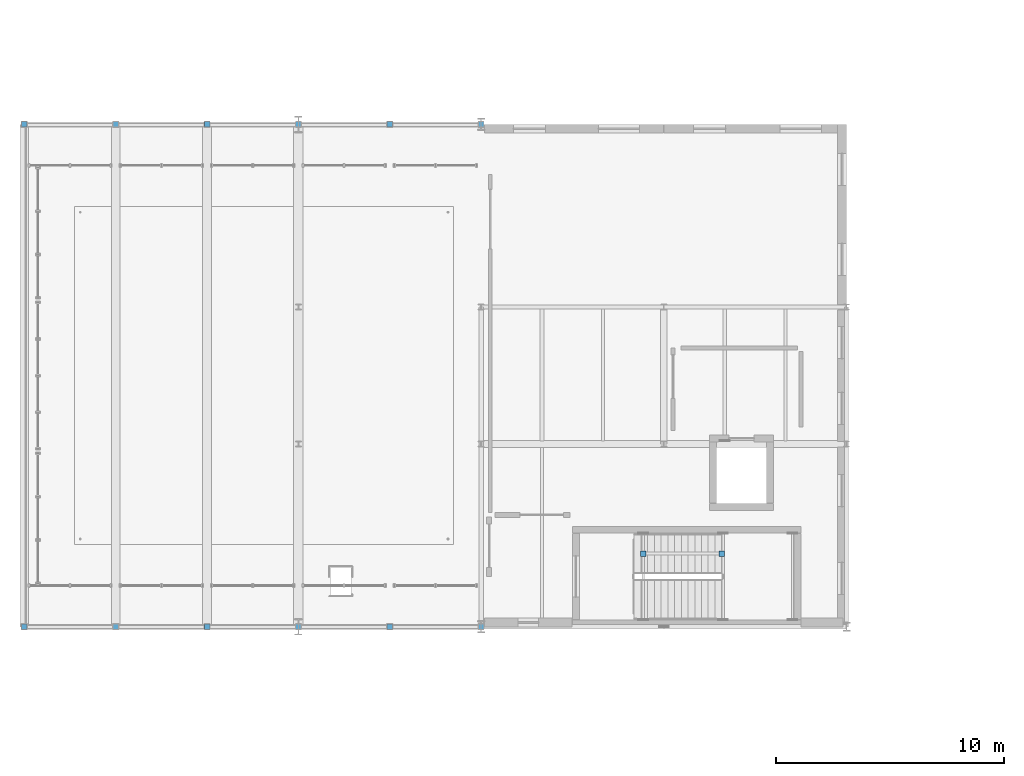
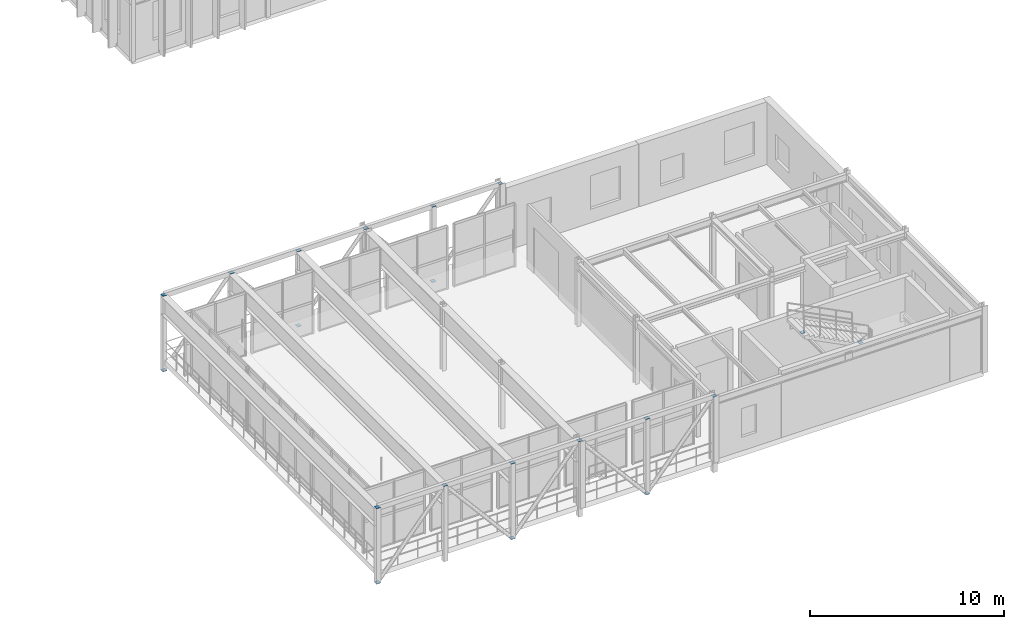
# One storey, part 108 of 124: 20 discrete accessories.
"""IFC4 building model written with IfcOpenShell, lengths in metres."""

from ifc_helpers import new_model, si_unit, direction, frame, origin, origin_2d, place, context, subcontext, project, spatial, rectangle, extrude, material, type_object, element, save


model = new_model("IFC4")

# Units and contexts
model_context = context("Model", 3, precision=1e-05, world=origin(), true_north=direction((0.0, 1.0)))
body_context = subcontext(model_context, "Body", "Model", "MODEL_VIEW")
ifc_project = project(units=[si_unit("LENGTHUNIT", "METRE"), si_unit("AREAUNIT", "SQUARE_METRE"), si_unit("VOLUMEUNIT", "CUBIC_METRE"), si_unit("PLANEANGLEUNIT", "RADIAN"), si_unit("MASSUNIT", "GRAM", prefix="KILO")], contexts=[model_context])

# Site, building, storey
site_placement = place(None, origin())
site = spatial("IfcSite", under=ifc_project, at=site_placement, CompositionType="ELEMENT")
building_placement = place(site_placement, origin())
building = spatial("IfcBuilding", under=site, at=building_placement, Name="Sundkrona Museum", CompositionType="ELEMENT")
storey_placement = place(building_placement, frame((0.0, 0.0, 17.60009765625)))
storey = spatial("IfcBuildingStorey", under=building, at=storey_placement, Name="L03", CompositionType="ELEMENT", Elevation=17.60009765625)

# Discrete accessories
ifc_material = material(Name="Stainless Steel EN 1.4404 Cleat", Category="steel")
discrete_accessory_type = type_object("IfcDiscreteAccessoryType", Name="BRK-FIN-01", PredefinedType="BRACKET", material=ifc_material)
for number, where, z_axis, x_axis, name in (
    (1, (4.0, 32.0, -0.692626953125), (0.0, 0.0, 1.0), (1.0, 0.0, 0.0), "Brace and Strut End Connection Plate TR4-S-UDG-01-1"),
    (2, (8.0, 32.0, 4.037353515625), (0.0, 0.0, 1.0), (1.0, 0.0, 0.0), "Brace and Strut End Connection Plate TR4-S-UDG-01-2"),
    (3, (12.0, 32.0, -0.692626953125), (0.0, 0.0, 1.0), (1.0, 0.0, 0.0), "Brace and Strut End Connection Plate TR4-S-UDG-02-2"),
    (4, (16.0, 32.0, 4.037353515625), (0.0, 0.0, 1.0), (1.0, 0.0, 0.0), "Brace and Strut End Connection Plate TR4-S-UDG-03-2"),
    (5, (20.0, 32.0, -0.692626953125), (0.0, 0.0, 1.0), (1.0, 0.0, 0.0), "Brace and Strut End Connection Plate TR4-S-UDG-04-2"),
    (6, (24.0, 32.0, 4.037353515625), (0.0, 0.0, 1.0), (1.0, 0.0, 0.0), "Brace and Strut End Connection Plate TR4-S-UDG-05-2"),
    (7, (4.0, 32.0, 4.037353515625), (0.0, 0.0, 1.0), (1.0, 0.0, 0.0), "Brace and Strut End Connection Plate TR4-S-UP-01-2"),
    (8, (12.0, 32.0, 4.037353515625), (0.0, 0.0, 1.0), (1.0, 0.0, 0.0), "Brace and Strut End Connection Plate TR4-S-UP-03-2"),
    (9, (20.0, 32.0, 4.037353515625), (0.0, 0.0, 1.0), (1.0, 0.0, 0.0), "Brace and Strut End Connection Plate TR4-S-UP-05-2"),
    (10, (4.0, 54.0, -0.692626953125), (0.0, 0.0, 1.0), (1.0, 0.0, 0.0), "Brace and Strut End Connection Plate TR4-N-UDG-01-1"),
    (11, (8.0, 54.0, 4.037353515625), (0.0, 0.0, 1.0), (1.0, 0.0, 0.0), "Brace and Strut End Connection Plate TR4-N-UDG-01-2"),
    (12, (12.0, 54.0, -0.692626953125), (0.0, 0.0, 1.0), (1.0, 0.0, 0.0), "Brace and Strut End Connection Plate TR4-N-UDG-02-2"),
    (13, (16.0, 54.0, 4.037353515625), (0.0, 0.0, 1.0), (1.0, 0.0, 0.0), "Brace and Strut End Connection Plate TR4-N-UDG-03-2"),
    (14, (20.0, 54.0, -0.692626953125), (0.0, 0.0, 1.0), (1.0, 0.0, 0.0), "Brace and Strut End Connection Plate TR4-N-UDG-04-2"),
    (15, (24.0, 54.0, 4.037353515625), (0.0, 0.0, 1.0), (1.0, 0.0, 0.0), "Brace and Strut End Connection Plate TR4-N-UDG-05-2"),
    (16, (4.0, 54.0, 4.037353515625), (0.0, 0.0, 1.0), (1.0, 0.0, 0.0), "Brace and Strut End Connection Plate TR4-N-UP-01-2"),
    (17, (12.0, 54.0, 4.037353515625), (0.0, 0.0, 1.0), (1.0, 0.0, 0.0), "Brace and Strut End Connection Plate TR4-N-UP-03-2"),
    (18, (20.0, 54.0, 4.037353515625), (0.0, 0.0, 1.0), (1.0, 0.0, 0.0), "Brace and Strut End Connection Plate TR4-N-UP-05-2"),
    (19, (34.534912109375, 35.199951171875, 1.767333984375), (0.0, 0.0, 1.0), (1.0, 0.0, 0.0), "Brace and Strut End Connection Plate RK-ST-ST-4-L03-2-1"),
    (20, (31.10009765625, 35.199951171875, 3.600830078125), (0.0, 0.0, 1.0), (1.0, 0.0, 0.0), "Brace and Strut End Connection Plate RK-ST-ST-4-L03-2-2"),
):
    element("IfcDiscreteAccessory", number, at=place(storey_placement, frame(where, z_axis=z_axis, x_axis=x_axis)), inside=storey, type_object=discrete_accessory_type, Name=name, PredefinedType="BRACKET", context=body_context, shape_type="SweptSolid", body=[
        extrude(rectangle(XDim=0.239990234375, YDim=0.239990234375, at=origin_2d()), origin(), (0.0, 0.0, 1.0), 0.02490234375),
    ])

save(model, "model.ifc")
